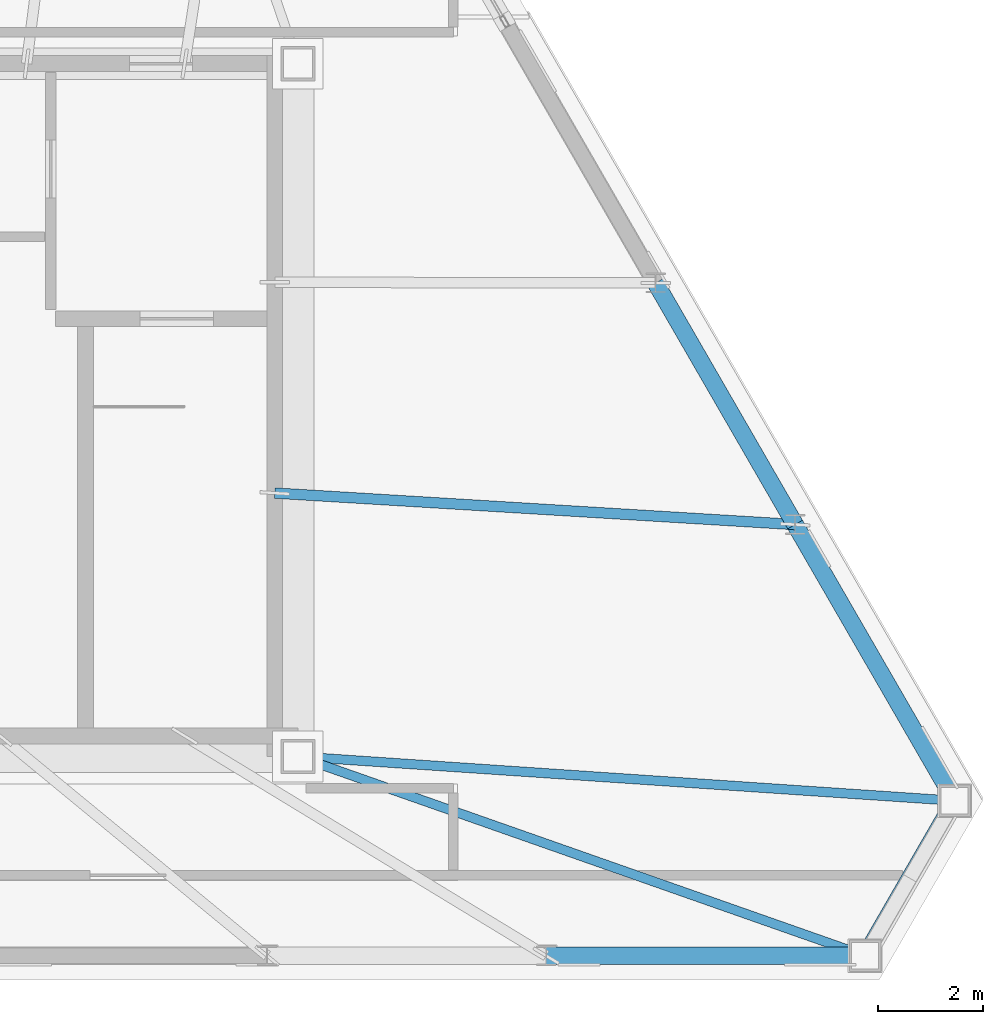
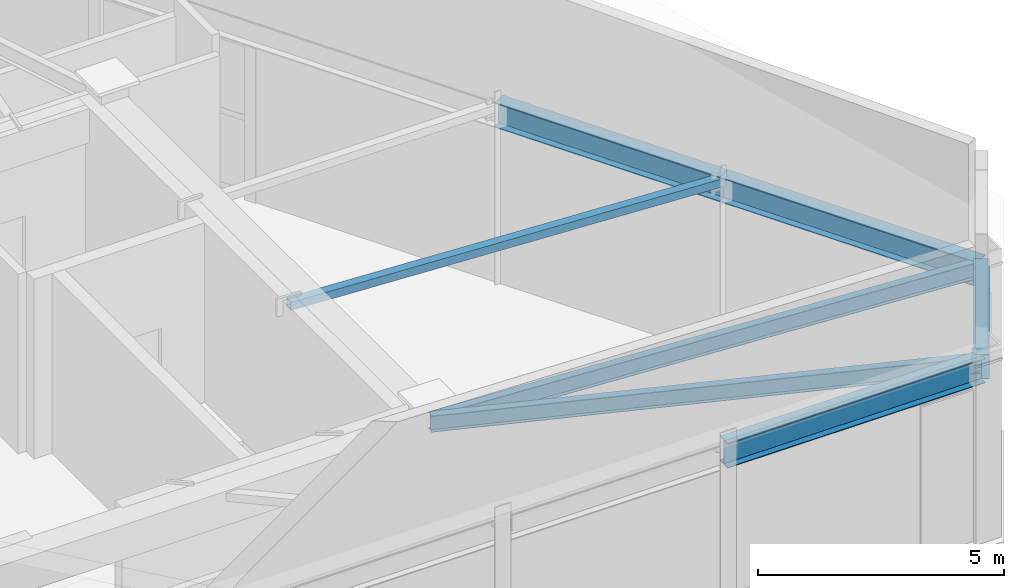
# One storey, part 7 of 11: 6 beams, 1 member.
"""IFC4 building model written with IfcOpenShell, lengths in metres."""

from ifc_helpers import new_model, si_unit, direction, frame, origin, origin_2d, place, context, subcontext, project, spatial, hollow_rectangle, i_section, extrude, material, material_profile, profile_set, type_object, element, save


model = new_model("IFC4")

# Units and contexts
model_context = context("Model", 3, precision=1e-05, world=origin(), true_north=direction((0.0, 1.0)))
body_context = subcontext(model_context, "Body", "Model", "MODEL_VIEW")
ifc_project = project(units=[si_unit("LENGTHUNIT", "METRE"), si_unit("AREAUNIT", "SQUARE_METRE"), si_unit("VOLUMEUNIT", "CUBIC_METRE"), si_unit("PLANEANGLEUNIT", "RADIAN"), si_unit("MASSUNIT", "GRAM", prefix="KILO")], contexts=[model_context])

# Site, building, storey
site_placement = place(None, origin())
site = spatial("IfcSite", under=ifc_project, at=site_placement, CompositionType="ELEMENT")
building_placement = place(site_placement, origin())
building = spatial("IfcBuilding", under=site, at=building_placement, Name="Oramaril Tower", CompositionType="ELEMENT")
storey_placement = place(building_placement, frame((0.0, 0.0, 318.89990234375)))
storey = spatial("IfcBuildingStorey", under=building, at=storey_placement, Name="L83", CompositionType="ELEMENT", Elevation=318.89990234375)

# Beams
ifc_material_1 = material(Name="Steel ASTM A572 Gr 50", Category="steel")
ifc_material_profile_1 = material_profile(ifc_material_1, i_section(OverallWidth=0.177978515625, OverallDepth=0.404052734375, WebThickness=0.007568359375, FlangeThickness=0.010986328125, at=origin_2d()), Name="W16X36")
ifc_profile_set_1 = profile_set([ifc_material_profile_1], Name="Steel ASTM A572 Gr 50")
beam_type_1 = type_object("IfcBeamType", Name="BT-SB1", PredefinedType="BEAM", material=ifc_profile_set_1)
beam_1_placement = place(storey_placement, frame((45.64990234375, 11.0, 4.258056640625), z_axis=(0.943480397326, -0.331428332919, 0.0), x_axis=(0.331428332919, 0.943480397326, 0.0)))
element("IfcBeam", 1, at=beam_1_placement, inside=storey, type_object=beam_type_1, Name="L83 Radial Primary Beam RB-03", PredefinedType="BEAM", context=body_context, shape_type="SweptSolid", body=[
    extrude(i_section(OverallWidth=0.177978515625, OverallDepth=0.404052734375, WebThickness=0.007568359375, FlangeThickness=0.010986328125, at=origin_2d()), origin(), (0.0, 0.0, 1.0), 11.408203125),
])
beam_2_placement = place(storey_placement, frame((45.64990234375, 11.0, 4.258056640625), z_axis=(0.997740741367, -0.067181939661, 0.0), x_axis=(0.067181939661, 0.997740741367, 0.0)))
element("IfcBeam", 2, at=beam_2_placement, inside=storey, type_object=beam_type_1, Name="L83 Radial Primary Beam RB-04", PredefinedType="BEAM", context=body_context, shape_type="SweptSolid", body=[
    extrude(i_section(OverallWidth=0.177978515625, OverallDepth=0.404052734375, WebThickness=0.007568359375, FlangeThickness=0.010986328125, at=origin_2d()), origin(), (0.0, 0.0, 1.0), 12.490234375),
])
ifc_material_2 = material(Name="Steel ASTM A572 Gr 50", Category="steel")
ifc_material_profile_2 = material_profile(ifc_material_2, i_section(OverallWidth=0.324951171875, OverallDepth=0.612060546875, WebThickness=0.0126953125, FlangeThickness=0.01904296875, at=origin_2d()), Name="W24X104")
ifc_profile_set_2 = profile_set([ifc_material_profile_2], Name="Steel ASTM A572 Gr 50")
beam_type_2 = type_object("IfcBeamType", Name="BT-SP5", PredefinedType="SPANDREL", material=ifc_profile_set_2)
beam_3_placement = place(storey_placement, frame((50.361083984375, 7.218994140625, 4.154052734375), z_axis=(1.0, 0.0, 0.0), x_axis=(0.0, 1.0, 0.0)))
element("IfcBeam", 3, at=beam_3_placement, inside=storey, type_object=beam_type_2, Name="L83 Perimeter Spandrel 06", PredefinedType="SPANDREL", context=body_context, shape_type="SweptSolid", body=[
    extrude(i_section(OverallWidth=0.324951171875, OverallDepth=0.612060546875, WebThickness=0.0126953125, FlangeThickness=0.01904296875, at=origin_2d()), origin(), (0.0, 0.0, 1.0), 6.05224609375),
])
beam_4_placement = place(storey_placement, frame((56.413330078125, 7.218994140625, 4.154052734375), z_axis=(0.499996186757, 0.86602760535, 0.0), x_axis=(-0.86602760535, 0.499996186757, 0.0)))
element("IfcBeam", 4, at=beam_4_placement, inside=storey, type_object=beam_type_2, Name="L83 Perimeter Spandrel 07", PredefinedType="SPANDREL", context=body_context, shape_type="SweptSolid", body=[
    extrude(i_section(OverallWidth=0.324951171875, OverallDepth=0.612060546875, WebThickness=0.0126953125, FlangeThickness=0.01904296875, at=origin_2d()), origin(), (0.0, 0.0, 1.0), 3.39697265625),
])
beam_5_placement = place(storey_placement, frame((58.11181640625, 10.160888671875, 4.154052734375), z_axis=(-0.499995978368, 0.866027725662, 0.0), x_axis=(-0.866027725662, -0.499995978368, 0.0)))
element("IfcBeam", 5, at=beam_5_placement, inside=storey, type_object=beam_type_2, Name="L83 Perimeter Spandrel 08", PredefinedType="SPANDREL", context=body_context, shape_type="SweptSolid", body=[
    extrude(i_section(OverallWidth=0.324951171875, OverallDepth=0.612060546875, WebThickness=0.0126953125, FlangeThickness=0.01904296875, at=origin_2d()), origin(), (0.0, 0.0, 1.0), 6.05224609375),
])
beam_6_placement = place(storey_placement, frame((55.085693359375, 15.40234375, 4.154052734375), z_axis=(-0.499961891874, 0.866047404403, 0.0), x_axis=(-0.866047404403, -0.499961891874, 0.0)))
element("IfcBeam", 6, at=beam_6_placement, inside=storey, type_object=beam_type_2, Name="L83 Perimeter Spandrel 09", PredefinedType="SPANDREL", context=body_context, shape_type="SweptSolid", body=[
    extrude(i_section(OverallWidth=0.324951171875, OverallDepth=0.612060546875, WebThickness=0.0126953125, FlangeThickness=0.01904296875, at=origin_2d()), origin(), (0.0, 0.0, 1.0), 5.2958984375),
])

# Member
ifc_material_3 = material(Name="Steel ASTM A572 Gr 50", Category="steel")
ifc_material_profile_3 = material_profile(ifc_material_3, hollow_rectangle(XDim=0.199951171875, YDim=0.199951171875, WallThickness=0.010009765625, at=origin_2d()), Name="HSS200X200X10")
ifc_profile_set_3 = profile_set([ifc_material_profile_3], Name="Steel ASTM A572 Gr 50")
member_type = type_object("IfcMemberType", Name="MT-RF1", PredefinedType="RAFTER", material=ifc_profile_set_3)
member_placement = place(storey_placement, frame((55.085693359375, 15.40234375, 4.31005859375), z_axis=(-0.998173820815, 0.060407147249, 0.0), x_axis=(-0.060407147249, -0.998173820815, 0.0)))
element("IfcMember", 7, at=member_placement, inside=storey, type_object=member_type, Name="L83 Crown Roof Rafter RF-05", PredefinedType="RAFTER", context=body_context, shape_type="SweptSolid", body=[
    extrude(hollow_rectangle(XDim=0.199951171875, YDim=0.199951171875, WallThickness=0.010009765625, at=origin_2d()), origin(), (0.0, 0.0, 1.0), 9.893798828125),
])

save(model, "model.ifc")
